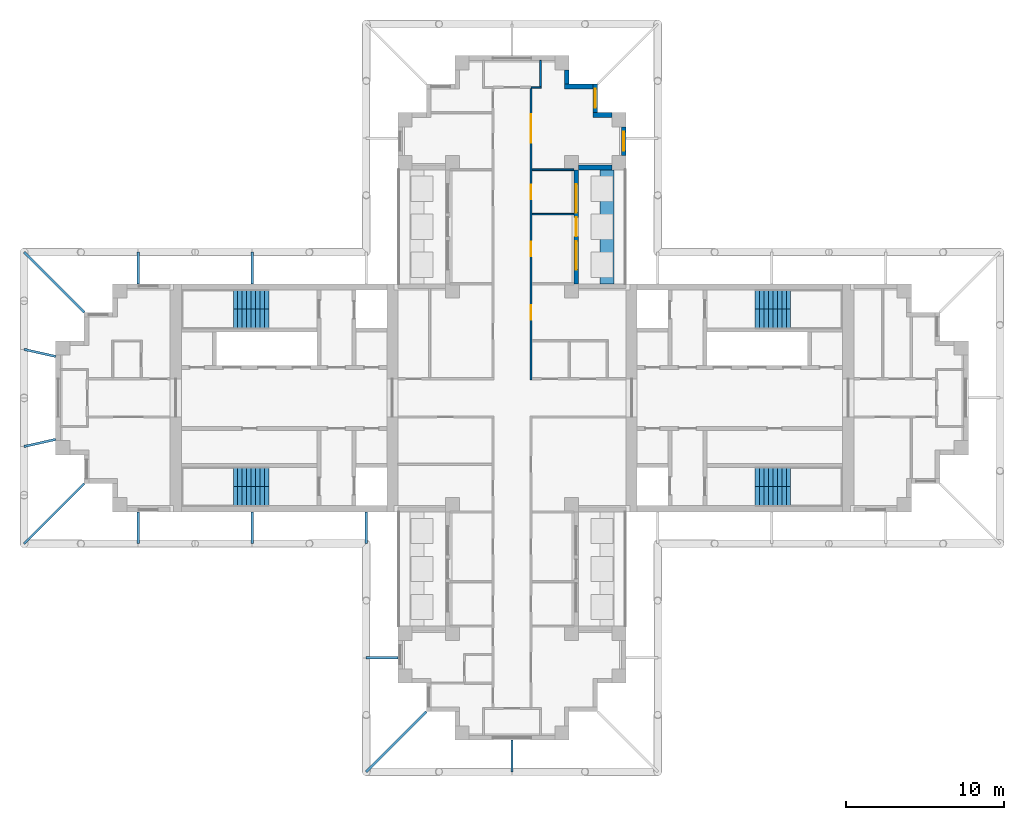
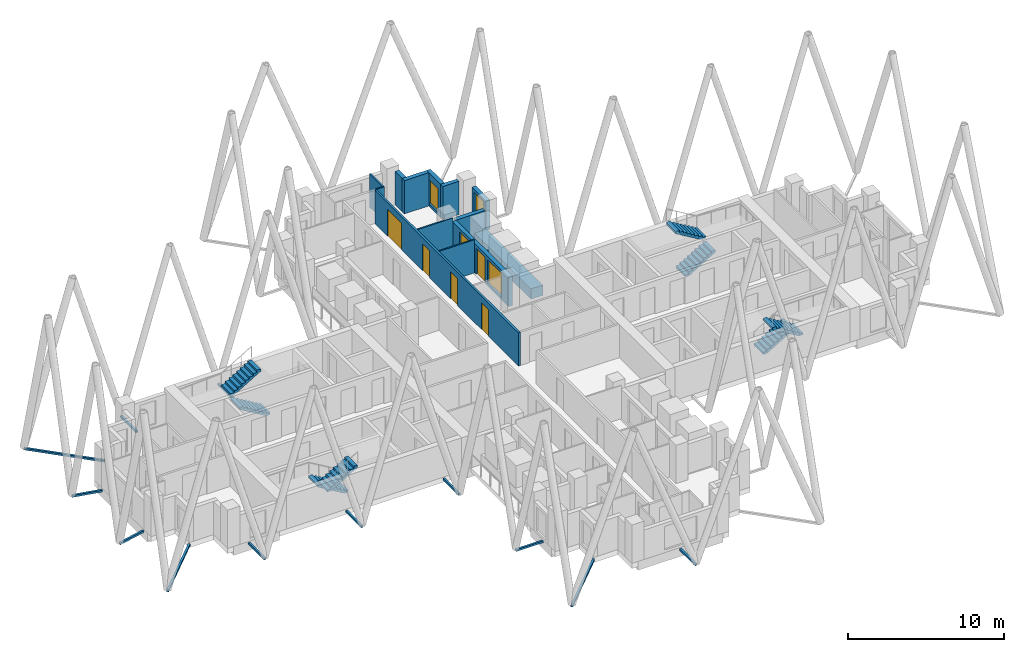
# One storey, part 8 of 11: 13 walls, 12 discrete accessories, 8 stair flights, 5 doors, 4 windows, 9 openings, 4 elements without a shape of their own.
"""IFC4 building model written with IfcOpenShell, lengths in metres."""

from ifc_helpers import new_model, si_unit, direction, frame, frame_2d, origin, origin_2d, place, context, subcontext, project, spatial, polyline, rectangle, hollow_rectangle, outline, extrude, material, layer, layer_set, type_object, element, fill, aggregate, save


model = new_model("IFC4")

# Units and contexts
model_context = context("Model", 3, precision=1e-05, world=origin(), true_north=direction((0.0, 1.0)))
body_context = subcontext(model_context, "Body", "Model", "MODEL_VIEW")
ifc_project = project(units=[si_unit("LENGTHUNIT", "METRE"), si_unit("AREAUNIT", "SQUARE_METRE"), si_unit("VOLUMEUNIT", "CUBIC_METRE"), si_unit("PLANEANGLEUNIT", "RADIAN"), si_unit("MASSUNIT", "GRAM", prefix="KILO")], contexts=[model_context])

# Site, building, storey
site_placement = place(None, origin())
site = spatial("IfcSite", under=ifc_project, at=site_placement, CompositionType="ELEMENT")
building_placement = place(site_placement, origin())
building = spatial("IfcBuilding", under=site, at=building_placement, Name="Fustian Cross Tower", CompositionType="ELEMENT")
storey_placement = place(building_placement, frame((0.0, 0.0, 222.89990234375)))
storey = spatial("IfcBuildingStorey", under=building, at=storey_placement, Name="L70", CompositionType="ELEMENT", Elevation=222.89990234375)

# Wall, openings, doors
ifc_material_1 = material(Name="Plasterboard on steel stud", Category="steel")
ifc_layer_1 = layer(ifc_material_1, 0.14990234375)
ifc_layer_set_1 = layer_set([ifc_layer_1], Name="Plasterboard on steel stud")
wall_type_1 = type_object("IfcWallType", Name="COMPARTMENT WALL 150 EI 60", PredefinedType="PARTITIONING", material=ifc_layer_set_1)
wall_1_placement = place(storey_placement, frame((1.199951171875, 1.125, 0.0), z_axis=(0.0, 0.0, 1.0), x_axis=(0.0, 1.0, 0.0)))
wall_1 = element("IfcWall", 1, at=wall_1_placement, inside=storey, type_object=wall_type_1, Name="Partition 39", PredefinedType="PARTITIONING", context=body_context, shape_type="SweptSolid", body=[
    extrude(rectangle(XDim=18.39990234375, YDim=0.14990234375, at=frame_2d((9.199951171875, 0.0))), origin(), (0.0, 0.0, 1.0), 2.60009765625),
])
opening_1_placement = place(wall_1_placement, frame((3.824951171875, 0.0, 0.0)))
opening_1 = element("IfcOpeningElement", 2, at=opening_1_placement, cuts=wall_1, Name="Opening D31003", PredefinedType="OPENING", context=body_context, shape_type="SweptSolid", body=[
    extrude(rectangle(XDim=0.89990234375, YDim=2.10009765625, at=frame_2d((0.449951171875, 1.050048828125))), frame((0.0, 0.0849609375, 0.0), z_axis=(0.0, -1.0, 0.0), x_axis=(1.0, 0.0, 0.0)), (0.0, 0.0, 1.0), 0.169921875),
])
opening_2_placement = place(wall_1_placement, frame((11.425048828125, 0.0, 0.0)))
opening_2 = element("IfcOpeningElement", 3, at=opening_2_placement, cuts=wall_1, Name="Opening D31019", PredefinedType="OPENING", context=body_context, shape_type="SweptSolid", body=[
    extrude(rectangle(XDim=0.89990234375, YDim=2.10009765625, at=frame_2d((0.449951171875, 1.050048828125))), frame((0.0, 0.0849609375, 0.0), z_axis=(0.0, -1.0, 0.0), x_axis=(1.0, 0.0, 0.0)), (0.0, 0.0, 1.0), 0.169921875),
])
opening_3_placement = place(wall_1_placement, frame((7.824951171875, 0.0, 0.0)))
opening_3 = element("IfcOpeningElement", 4, at=opening_3_placement, cuts=wall_1, Name="Opening D31020", PredefinedType="OPENING", context=body_context, shape_type="SweptSolid", body=[
    extrude(rectangle(XDim=0.89990234375, YDim=2.10009765625, at=frame_2d((0.449951171875, 1.050048828125))), frame((0.0, 0.0849609375, 0.0), z_axis=(0.0, -1.0, 0.0), x_axis=(1.0, 0.0, 0.0)), (0.0, 0.0, 1.0), 0.169921875),
])
opening_4_placement = place(wall_1_placement, frame((14.97509765625, 0.0, 0.0)))
opening_4 = element("IfcOpeningElement", 5, at=opening_4_placement, cuts=wall_1, Name="Opening D31021", PredefinedType="OPENING", context=body_context, shape_type="SweptSolid", body=[
    extrude(rectangle(XDim=1.800048828125, YDim=2.10009765625, at=frame_2d((0.89990234375, 1.050048828125))), frame((0.0, 0.0849609375, 0.0), z_axis=(0.0, -1.0, 0.0), x_axis=(1.0, 0.0, 0.0)), (0.0, 0.0, 1.0), 0.169921875),
])
ifc_material_2 = material(Name="Timber fire door set", Category="wood")
door_type_1 = type_object("IfcDoorType", Name="FIRE DOUBLE DOOR 1800 FD30S", OperationType="DOUBLE_DOOR_DOUBLE_SWING", PredefinedType="DOOR", material=ifc_material_2)
door_1_placement = place(opening_4_placement, origin())
door_1 = element("IfcDoor", 6, at=door_1_placement, inside=storey, type_object=door_type_1, Name="Door D31021", OperationType="DOUBLE_DOOR_DOUBLE_SWING", OverallHeight=2.10009765625, OverallWidth=1.800048828125, PredefinedType="DOOR", context=body_context, shape_type="SweptSolid", body=[
    extrude(rectangle(XDim=1.800048828125, YDim=2.10009765625, at=frame_2d((0.89990234375, 1.050048828125))), frame((0.0, 0.02490234375, 0.0), z_axis=(0.0, -1.0, 0.0), x_axis=(1.0, 0.0, 0.0)), (0.0, 0.0, 1.0), 0.050048828125),
])
fill(opening_4, door_1)
ifc_material_3 = material(Name="Timber fire door set", Category="wood")
door_type_2 = type_object("IfcDoorType", Name="FIRE SWING DOOR 900 FD30S", OperationType="SINGLE_SWING_LEFT", PredefinedType="DOOR", material=ifc_material_3)
door_2_placement = place(opening_1_placement, frame((0.89990234375, 0.0, 0.0), z_axis=(0.0, 0.0, 1.0), x_axis=(-1.0, 0.0, 0.0)))
door_2 = element("IfcDoor", 7, at=door_2_placement, inside=storey, type_object=door_type_2, Name="Door D31003", OperationType="SINGLE_SWING_RIGHT", OverallHeight=2.10009765625, OverallWidth=0.89990234375, PredefinedType="DOOR", context=body_context, shape_type="SweptSolid", body=[
    extrude(rectangle(XDim=0.89990234375, YDim=2.10009765625, at=frame_2d((0.449951171875, 1.050048828125))), frame((0.0, 0.02490234375, 0.0), z_axis=(0.0, -1.0, 0.0), x_axis=(1.0, 0.0, 0.0)), (0.0, 0.0, 1.0), 0.050048828125),
])
fill(opening_1, door_2)
door_3_placement = place(opening_2_placement, frame((0.89990234375, 0.0, 0.0), z_axis=(0.0, 0.0, 1.0), x_axis=(-1.0, 0.0, 0.0)))
door_3 = element("IfcDoor", 8, at=door_3_placement, inside=storey, type_object=door_type_2, Name="Door D31019", OperationType="SINGLE_SWING_RIGHT", OverallHeight=2.10009765625, OverallWidth=0.89990234375, PredefinedType="DOOR", context=body_context, shape_type="SweptSolid", body=[
    extrude(rectangle(XDim=0.89990234375, YDim=2.10009765625, at=frame_2d((0.449951171875, 1.050048828125))), frame((0.0, 0.02490234375, 0.0), z_axis=(0.0, -1.0, 0.0), x_axis=(1.0, 0.0, 0.0)), (0.0, 0.0, 1.0), 0.050048828125),
])
fill(opening_2, door_3)
door_4_placement = place(opening_3_placement, frame((0.89990234375, 0.0, 0.0), z_axis=(0.0, 0.0, 1.0), x_axis=(-1.0, 0.0, 0.0)))
door_4 = element("IfcDoor", 9, at=door_4_placement, inside=storey, type_object=door_type_2, Name="Door D31020", OperationType="SINGLE_SWING_RIGHT", OverallHeight=2.10009765625, OverallWidth=0.89990234375, PredefinedType="DOOR", context=body_context, shape_type="SweptSolid", body=[
    extrude(rectangle(XDim=0.89990234375, YDim=2.10009765625, at=frame_2d((0.449951171875, 1.050048828125))), frame((0.0, 0.02490234375, 0.0), z_axis=(0.0, -1.0, 0.0), x_axis=(1.0, 0.0, 0.0)), (0.0, 0.0, 1.0), 0.050048828125),
])
fill(opening_3, door_4)

# Walls
ifc_material_4 = material(Name="Plasterboard on steel stud", Category="steel")
ifc_layer_2 = layer(ifc_material_4, 0.10009765625)
ifc_layer_set_2 = layer_set([ifc_layer_2], Name="Plasterboard on steel stud")
wall_type_2 = type_object("IfcWallType", Name="PARTITION 100 STUD", PredefinedType="PARTITIONING", material=ifc_layer_set_2)
for number, where, z_axis, x_axis, name in (
    (10, (1.27490234375, 11.60009765625, 0.0), (0.0, 0.0, 1.0), (1.0, 0.0, 0.0), "Partition 43"),
    (11, (1.27490234375, 14.39990234375, 0.0), (0.0, 0.0, 1.0), (1.0, 0.0, 0.0), "Partition 44"),
):
    element("IfcWall", number, at=place(storey_placement, frame(where, z_axis=z_axis, x_axis=x_axis)), inside=storey, type_object=wall_type_2, Name=name, PredefinedType="PARTITIONING", context=body_context, shape_type="SweptSolid", body=[
        extrude(rectangle(XDim=2.625, YDim=0.10009765625, at=frame_2d((1.3125, 0.0))), origin(), (0.0, 0.0, 1.0), 2.60009765625),
    ])
wall_2_placement = place(storey_placement, frame((1.199951171875, 19.60009765625, 0.0), z_axis=(0.0, 0.0, 1.0), x_axis=(1.0, 0.0, 0.0)))
element("IfcWall", 12, at=wall_2_placement, inside=storey, type_object=wall_type_2, Name="Partition 45", PredefinedType="PARTITIONING", context=body_context, shape_type="SweptSolid", body=[
    extrude(rectangle(XDim=0.650146484375, YDim=0.10009765625, at=frame_2d((0.3251953125, 0.0))), origin(), (0.0, 0.0, 1.0), 2.60009765625),
])
wall_3_placement = place(storey_placement, frame((1.800048828125, 19.64990234375, 0.0), z_axis=(0.0, 0.0, 1.0), x_axis=(0.0, 1.0, 0.0)))
element("IfcWall", 13, at=wall_3_placement, inside=storey, type_object=wall_type_2, Name="Partition 47", PredefinedType="PARTITIONING", context=body_context, shape_type="SweptSolid", body=[
    extrude(rectangle(XDim=1.650146484375, YDim=0.10009765625, at=frame_2d((0.8251953125, 0.0))), origin(), (0.0, 0.0, 1.0), 2.60009765625),
])
ifc_material_5 = material(Name="Concrete C40/50", Category="concrete")
ifc_layer_3 = layer(ifc_material_5, 0.89990234375)
ifc_layer_set_3 = layer_set([ifc_layer_3], Name="Concrete C40/50")
wall_type_3 = type_object("IfcWallType", Name="PK1 PLANTER 900", PredefinedType="PARAPET", material=ifc_layer_set_3)
wall_4_placement = place(storey_placement, frame((6.0, 7.199951171875, 0.0), z_axis=(0.0, 0.0, 1.0), x_axis=(0.0, 1.0, 0.0)))
element("IfcWall", 14, at=wall_4_placement, inside=storey, type_object=wall_type_3, Name="PLANTER", PredefinedType="PARAPET", context=body_context, shape_type="SweptSolid", body=[
    extrude(rectangle(XDim=7.199951171875, YDim=0.89990234375, at=frame_2d((3.60009765625, 0.0))), origin(), (0.0, 0.0, 1.0), 0.800048828125),
])

# Wall, openings, door, windows
ifc_material_6 = material(Name="Dark aluminium cladding on insulated backing wall", Category="aluminium")
ifc_layer_4 = layer(ifc_material_6, 0.300048828125)
ifc_layer_set_4 = layer_set([ifc_layer_4], Name="Dark aluminium cladding on insulated backing wall")
wall_type_4 = type_object("IfcWallType", Name="XW1 EXTERNAL WALL 300", PredefinedType="SOLIDWALL", material=ifc_layer_set_4)
wall_5_placement = place(storey_placement, frame((4.050048828125, 7.199951171875, 0.0), z_axis=(0.0, 0.0, 1.0), x_axis=(0.0, 1.0, 0.0)))
wall_5 = element("IfcWall", 15, at=wall_5_placement, inside=storey, type_object=wall_type_4, Name="External wall", PredefinedType="SOLIDWALL", context=body_context, shape_type="SweptSolid", body=[
    extrude(rectangle(XDim=7.199951171875, YDim=0.300048828125, at=frame_2d((3.60009765625, 0.0))), origin(), (0.0, 0.0, 1.0), 2.300048828125),
])
opening_5_placement = place(wall_5_placement, frame((3.0, 0.0, 0.0)))
opening_5 = element("IfcOpeningElement", 16, at=opening_5_placement, cuts=wall_5, Name="Opening XD1", PredefinedType="OPENING", context=body_context, shape_type="SweptSolid", body=[
    extrude(rectangle(XDim=1.199951171875, YDim=2.050048828125, at=frame_2d((0.60009765625, 1.02490234375))), frame((0.0, 0.159912109375, 0.0), z_axis=(0.0, -1.0, 0.0), x_axis=(1.0, 0.0, 0.0)), (0.0, 0.0, 1.0), 0.320068359375),
])
opening_6_placement = place(wall_5_placement, frame((0.89990234375, 0.0, 0.199951171875)))
opening_6 = element("IfcOpeningElement", 17, at=opening_6_placement, cuts=wall_5, Name="Opening WN2", PredefinedType="OPENING", context=body_context, shape_type="SweptSolid", body=[
    extrude(rectangle(XDim=1.800048828125, YDim=1.85009765625, at=frame_2d((0.89990234375, 0.925048828125))), frame((0.0, 0.159912109375, 0.0), z_axis=(0.0, -1.0, 0.0), x_axis=(1.0, 0.0, 0.0)), (0.0, 0.0, 1.0), 0.320068359375),
])
opening_7_placement = place(wall_5_placement, frame((4.5, 0.0, 0.199951171875)))
opening_7 = element("IfcOpeningElement", 18, at=opening_7_placement, cuts=wall_5, Name="Opening WN2", PredefinedType="OPENING", context=body_context, shape_type="SweptSolid", body=[
    extrude(rectangle(XDim=1.800048828125, YDim=1.85009765625, at=frame_2d((0.89990234375, 0.925048828125))), frame((0.0, 0.159912109375, 0.0), z_axis=(0.0, -1.0, 0.0), x_axis=(1.0, 0.0, 0.0)), (0.0, 0.0, 1.0), 0.320068359375),
])
ifc_material_7 = material(Name="Dark anodised aluminium and double glazing", Category="aluminium")
door_type_3 = type_object("IfcDoorType", Name="ED1 BALCONY DOOR 1200X2050", OperationType="SINGLE_SWING_LEFT", PredefinedType="DOOR", material=ifc_material_7)
door_5_placement = place(opening_5_placement, origin())
door_5 = element("IfcDoor", 19, at=door_5_placement, inside=storey, type_object=door_type_3, Name="Balcony door", OperationType="SINGLE_SWING_LEFT", OverallHeight=2.050048828125, OverallWidth=1.199951171875, PredefinedType="DOOR", context=body_context, shape_type="SweptSolid", body=[
    extrude(rectangle(XDim=1.199951171875, YDim=2.050048828125, at=frame_2d((0.60009765625, 1.02490234375))), frame((0.0, 0.02490234375, 0.0), z_axis=(0.0, -1.0, 0.0), x_axis=(1.0, 0.0, 0.0)), (0.0, 0.0, 1.0), 0.050048828125),
])
fill(opening_5, door_5)
ifc_material_8 = material(Name="Dark anodised aluminium and double glazing", Category="aluminium")
window_type_1 = type_object("IfcWindowType", Name="WN2 WINDOW 1800X1850", PartitioningType="SINGLE_PANEL", PredefinedType="WINDOW", material=ifc_material_8)
window_1_placement = place(opening_6_placement, origin())
window_1 = element("IfcWindow", 20, at=window_1_placement, inside=storey, type_object=window_type_1, Name="Window", OverallHeight=1.85009765625, OverallWidth=1.800048828125, PartitioningType="SINGLE_PANEL", PredefinedType="WINDOW", context=body_context, shape_type="SweptSolid", body=[
    extrude(rectangle(XDim=1.800048828125, YDim=1.85009765625, at=frame_2d((0.89990234375, 0.925048828125))), frame((0.0, 0.030029296875, 0.0), z_axis=(0.0, -1.0, 0.0), x_axis=(1.0, 0.0, 0.0)), (0.0, 0.0, 1.0), 0.06005859375),
])
fill(opening_6, window_1)
window_2_placement = place(opening_7_placement, origin())
window_2 = element("IfcWindow", 21, at=window_2_placement, inside=storey, type_object=window_type_1, Name="Window", OverallHeight=1.85009765625, OverallWidth=1.800048828125, PartitioningType="SINGLE_PANEL", PredefinedType="WINDOW", context=body_context, shape_type="SweptSolid", body=[
    extrude(rectangle(XDim=1.800048828125, YDim=1.85009765625, at=frame_2d((0.89990234375, 0.925048828125))), frame((0.0, 0.030029296875, 0.0), z_axis=(0.0, -1.0, 0.0), x_axis=(1.0, 0.0, 0.0)), (0.0, 0.0, 1.0), 0.06005859375),
])
fill(opening_7, window_2)

# Wall
wall_6_placement = place(storey_placement, frame((4.199951171875, 14.550048828125, 0.0), z_axis=(0.0, 0.0, 1.0), x_axis=(1.0, 0.0, 0.0)))
element("IfcWall", 22, at=wall_6_placement, inside=storey, type_object=wall_type_4, Name="External wall", PredefinedType="SOLIDWALL", context=body_context, shape_type="SweptSolid", body=[
    extrude(rectangle(XDim=2.10009765625, YDim=0.300048828125, at=frame_2d((1.050048828125, 0.0))), origin(), (0.0, 0.0, 1.0), 2.300048828125),
])

# Wall, opening, window
wall_7_placement = place(storey_placement, frame((7.050048828125, 15.300048828125, 0.0), z_axis=(0.0, 0.0, 1.0), x_axis=(0.0, 1.0, 0.0)))
wall_7 = element("IfcWall", 23, at=wall_7_placement, inside=storey, type_object=wall_type_4, Name="External wall", PredefinedType="SOLIDWALL", context=body_context, shape_type="SweptSolid", body=[
    extrude(rectangle(XDim=1.800048828125, YDim=0.300048828125, at=frame_2d((0.89990234375, 0.0))), origin(), (0.0, 0.0, 1.0), 2.300048828125),
])
opening_8_placement = place(wall_7_placement, frame((0.300048828125, 0.0, 0.199951171875)))
opening_8 = element("IfcOpeningElement", 24, at=opening_8_placement, cuts=wall_7, Name="Opening WN3", PredefinedType="OPENING", context=body_context, shape_type="SweptSolid", body=[
    extrude(rectangle(XDim=1.199951171875, YDim=1.85009765625, at=frame_2d((0.60009765625, 0.925048828125))), frame((0.0, 0.159912109375, 0.0), z_axis=(0.0, -1.0, 0.0), x_axis=(1.0, 0.0, 0.0)), (0.0, 0.0, 1.0), 0.320068359375),
])
ifc_material_9 = material(Name="Dark anodised aluminium and double glazing", Category="aluminium")
window_type_2 = type_object("IfcWindowType", Name="WN3 WINDOW 1200X1850", PartitioningType="SINGLE_PANEL", PredefinedType="WINDOW", material=ifc_material_9)
window_3_placement = place(opening_8_placement, origin())
window_3 = element("IfcWindow", 25, at=window_3_placement, inside=storey, type_object=window_type_2, Name="Window", OverallHeight=1.85009765625, OverallWidth=1.199951171875, PartitioningType="SINGLE_PANEL", PredefinedType="WINDOW", context=body_context, shape_type="SweptSolid", body=[
    extrude(rectangle(XDim=1.199951171875, YDim=1.85009765625, at=frame_2d((0.60009765625, 0.925048828125))), frame((0.0, 0.030029296875, 0.0), z_axis=(0.0, -1.0, 0.0), x_axis=(1.0, 0.0, 0.0)), (0.0, 0.0, 1.0), 0.06005859375),
])
fill(opening_8, window_3)

# Wall
wall_8_placement = place(storey_placement, frame((6.300048828125, 17.85009765625, 0.0), z_axis=(0.0, 0.0, 1.0), x_axis=(-1.0, 0.0, 0.0)))
element("IfcWall", 26, at=wall_8_placement, inside=storey, type_object=wall_type_4, Name="External wall", PredefinedType="SOLIDWALL", context=body_context, shape_type="SweptSolid", body=[
    extrude(rectangle(XDim=1.199951171875, YDim=0.300048828125, at=frame_2d((0.60009765625, 0.0))), origin(), (0.0, 0.0, 1.0), 2.60009765625),
])

# Wall, opening, window
wall_9_placement = place(storey_placement, frame((5.25, 18.0, 0.0), z_axis=(0.0, 0.0, 1.0), x_axis=(0.0, 1.0, 0.0)))
wall_9 = element("IfcWall", 27, at=wall_9_placement, inside=storey, type_object=wall_type_4, Name="External wall", PredefinedType="SOLIDWALL", context=body_context, shape_type="SweptSolid", body=[
    extrude(rectangle(XDim=1.800048828125, YDim=0.300048828125, at=frame_2d((0.89990234375, 0.0))), origin(), (0.0, 0.0, 1.0), 2.60009765625),
])
opening_9_placement = place(wall_9_placement, frame((0.300048828125, 0.0, 0.199951171875)))
opening_9 = element("IfcOpeningElement", 28, at=opening_9_placement, cuts=wall_9, Name="Opening WN3", PredefinedType="OPENING", context=body_context, shape_type="SweptSolid", body=[
    extrude(rectangle(XDim=1.199951171875, YDim=1.85009765625, at=frame_2d((0.60009765625, 0.925048828125))), frame((0.0, 0.159912109375, 0.0), z_axis=(0.0, -1.0, 0.0), x_axis=(1.0, 0.0, 0.0)), (0.0, 0.0, 1.0), 0.320068359375),
])
window_4_placement = place(opening_9_placement, origin())
window_4 = element("IfcWindow", 29, at=window_4_placement, inside=storey, type_object=window_type_2, Name="Window", OverallHeight=1.85009765625, OverallWidth=1.199951171875, PartitioningType="SINGLE_PANEL", PredefinedType="WINDOW", context=body_context, shape_type="SweptSolid", body=[
    extrude(rectangle(XDim=1.199951171875, YDim=1.85009765625, at=frame_2d((0.60009765625, 0.925048828125))), frame((0.0, 0.030029296875, 0.0), z_axis=(0.0, -1.0, 0.0), x_axis=(1.0, 0.0, 0.0)), (0.0, 0.0, 1.0), 0.06005859375),
])
fill(opening_9, window_4)

# Walls
wall_10_placement = place(storey_placement, frame((5.10009765625, 19.64990234375, 0.0), z_axis=(0.0, 0.0, 1.0), x_axis=(-1.0, 0.0, 0.0)))
element("IfcWall", 30, at=wall_10_placement, inside=storey, type_object=wall_type_4, Name="External wall", PredefinedType="SOLIDWALL", context=body_context, shape_type="SweptSolid", body=[
    extrude(rectangle(XDim=1.800048828125, YDim=0.300048828125, at=frame_2d((0.89990234375, 0.0))), origin(), (0.0, 0.0, 1.0), 2.60009765625),
])
wall_11_placement = place(storey_placement, frame((3.449951171875, 19.800048828125, 0.0), z_axis=(0.0, 0.0, 1.0), x_axis=(0.0, 1.0, 0.0)))
element("IfcWall", 31, at=wall_11_placement, inside=storey, type_object=wall_type_4, Name="External wall", PredefinedType="SOLIDWALL", context=body_context, shape_type="SweptSolid", body=[
    extrude(rectangle(XDim=0.89990234375, YDim=0.300048828125, at=frame_2d((0.449951171875, 0.0))), origin(), (0.0, 0.0, 1.0), 2.60009765625),
])

# Stair, stair flights
ifc_material_10 = material(Name="Concrete C50/60", Category="concrete")
stair_type = type_object("IfcStairType", Name="STAIR 1200 HALF TURN", PredefinedType="HALF_TURN_STAIR", material=ifc_material_10)
stair_1_placement = place(storey_placement, origin())
stair_1 = element("IfcStair", 32, at=stair_1_placement, inside=storey, type_object=stair_type, Name="Stair ST1", PredefinedType="HALF_TURN_STAIR")
ifc_material_11 = material(Name="Concrete C50/60", Category="concrete")
stair_flight_type = type_object("IfcStairFlightType", Name="STAIR FLIGHT 1200", PredefinedType="STRAIGHT", material=ifc_material_11)
stair_flight_1_placement = place(storey_placement, frame((15.35009765625, 5.0, 0.0), z_axis=(0.0, 0.0, 1.0), x_axis=(1.0, 0.0, 0.0)))
stair_flight_1 = element("IfcStairFlight", 33, at=stair_flight_1_placement, type_object=stair_flight_type, Name="ST1 flight 1", NumberOfRisers=9, NumberOfTreads=8, PredefinedType="STRAIGHT", RiserHeight=0.166666667, TreadLength=0.28, context=body_context, shape_type="SweptSolid", body=[
    extrude(outline(polyline([(0.0, 0.0), (0.0, 0.166748046875), (0.280029296875, 0.166748046875), (0.280029296875, 0.333251953125), (0.56005859375, 0.333251953125), (0.56005859375, 0.5), (0.840087890625, 0.5), (0.840087890625, 0.666748046875), (1.1201171875, 0.666748046875), (1.1201171875, 0.833251953125), (1.39990234375, 0.833251953125), (1.39990234375, 1.0), (1.679931640625, 1.0), (1.679931640625, 1.166748046875), (1.9599609375, 1.166748046875), (1.9599609375, 1.333251953125), (2.239990234375, 1.333251953125), (2.239990234375, 1.5), (2.239990234375, 1.158935546875), (0.29296875, 0.0), (0.0, 0.0)])), frame((0.0, 0.60009765625, 0.0), z_axis=(0.0, -1.0, 0.0), x_axis=(1.0, 0.0, 0.0)), (0.0, 0.0, 1.0), 1.199951171875),
])
stair_flight_2_placement = place(storey_placement, frame((17.590087890625, 6.199951171875, 1.5), z_axis=(0.0, 0.0, 1.0), x_axis=(-1.0, 0.0, 0.0)))
stair_flight_2 = element("IfcStairFlight", 34, at=stair_flight_2_placement, type_object=stair_flight_type, Name="ST1 flight 2", NumberOfRisers=9, NumberOfTreads=8, PredefinedType="STRAIGHT", RiserHeight=0.166666667, TreadLength=0.28, context=body_context, shape_type="SweptSolid", body=[
    extrude(outline(polyline([(0.0, 0.0), (0.0, 0.166748046875), (0.280029296875, 0.166748046875), (0.280029296875, 0.333251953125), (0.56005859375, 0.333251953125), (0.56005859375, 0.5), (0.840087890625, 0.5), (0.840087890625, 0.666748046875), (1.1201171875, 0.666748046875), (1.1201171875, 0.833251953125), (1.39990234375, 0.833251953125), (1.39990234375, 1.0), (1.679931640625, 1.0), (1.679931640625, 1.166748046875), (1.9599609375, 1.166748046875), (1.9599609375, 1.333251953125), (2.239990234375, 1.333251953125), (2.239990234375, 1.5), (2.239990234375, 1.158935546875), (0.29296875, 0.0), (0.0, 0.0)])), frame((0.0, 0.60009765625, 0.0), z_axis=(0.0, -1.0, 0.0), x_axis=(1.0, 0.0, 0.0)), (0.0, 0.0, 1.0), 1.199951171875),
])
aggregate(stair_1, [stair_flight_1, stair_flight_2])

stair_2_placement = place(storey_placement, origin())
stair_2 = element("IfcStair", 35, at=stair_2_placement, inside=storey, type_object=stair_type, Name="Stair ST2", PredefinedType="HALF_TURN_STAIR")
stair_flight_3_placement = place(storey_placement, frame((15.35009765625, -5.0, 0.0), z_axis=(0.0, 0.0, 1.0), x_axis=(1.0, 0.0, 0.0)))
stair_flight_3 = element("IfcStairFlight", 36, at=stair_flight_3_placement, type_object=stair_flight_type, Name="ST2 flight 1", NumberOfRisers=9, NumberOfTreads=8, PredefinedType="STRAIGHT", RiserHeight=0.166666667, TreadLength=0.28, context=body_context, shape_type="SweptSolid", body=[
    extrude(outline(polyline([(0.0, 0.0), (0.0, 0.166748046875), (0.280029296875, 0.166748046875), (0.280029296875, 0.333251953125), (0.56005859375, 0.333251953125), (0.56005859375, 0.5), (0.840087890625, 0.5), (0.840087890625, 0.666748046875), (1.1201171875, 0.666748046875), (1.1201171875, 0.833251953125), (1.39990234375, 0.833251953125), (1.39990234375, 1.0), (1.679931640625, 1.0), (1.679931640625, 1.166748046875), (1.9599609375, 1.166748046875), (1.9599609375, 1.333251953125), (2.239990234375, 1.333251953125), (2.239990234375, 1.5), (2.239990234375, 1.158935546875), (0.29296875, 0.0), (0.0, 0.0)])), frame((0.0, 0.60009765625, 0.0), z_axis=(0.0, -1.0, 0.0), x_axis=(1.0, 0.0, 0.0)), (0.0, 0.0, 1.0), 1.199951171875),
])
stair_flight_4_placement = place(storey_placement, frame((17.590087890625, -6.199951171875, 1.5), z_axis=(0.0, 0.0, 1.0), x_axis=(-1.0, 0.0, 0.0)))
stair_flight_4 = element("IfcStairFlight", 37, at=stair_flight_4_placement, type_object=stair_flight_type, Name="ST2 flight 2", NumberOfRisers=9, NumberOfTreads=8, PredefinedType="STRAIGHT", RiserHeight=0.166666667, TreadLength=0.28, context=body_context, shape_type="SweptSolid", body=[
    extrude(outline(polyline([(0.0, 0.0), (0.0, 0.166748046875), (0.280029296875, 0.166748046875), (0.280029296875, 0.333251953125), (0.56005859375, 0.333251953125), (0.56005859375, 0.5), (0.840087890625, 0.5), (0.840087890625, 0.666748046875), (1.1201171875, 0.666748046875), (1.1201171875, 0.833251953125), (1.39990234375, 0.833251953125), (1.39990234375, 1.0), (1.679931640625, 1.0), (1.679931640625, 1.166748046875), (1.9599609375, 1.166748046875), (1.9599609375, 1.333251953125), (2.239990234375, 1.333251953125), (2.239990234375, 1.5), (2.239990234375, 1.158935546875), (0.29296875, 0.0), (0.0, 0.0)])), frame((0.0, 0.60009765625, 0.0), z_axis=(0.0, -1.0, 0.0), x_axis=(1.0, 0.0, 0.0)), (0.0, 0.0, 1.0), 1.199951171875),
])
aggregate(stair_2, [stair_flight_3, stair_flight_4])

stair_3_placement = place(storey_placement, origin())
stair_3 = element("IfcStair", 38, at=stair_3_placement, inside=storey, type_object=stair_type, Name="Stair ST3", PredefinedType="HALF_TURN_STAIR")
stair_flight_5_placement = place(storey_placement, frame((-15.35009765625, 5.0, 0.0), z_axis=(0.0, 0.0, 1.0), x_axis=(-1.0, 0.0, 0.0)))
stair_flight_5 = element("IfcStairFlight", 39, at=stair_flight_5_placement, type_object=stair_flight_type, Name="ST3 flight 1", NumberOfRisers=9, NumberOfTreads=8, PredefinedType="STRAIGHT", RiserHeight=0.166666667, TreadLength=0.28, context=body_context, shape_type="SweptSolid", body=[
    extrude(outline(polyline([(0.0, 0.0), (0.0, 0.166748046875), (0.280029296875, 0.166748046875), (0.280029296875, 0.333251953125), (0.56005859375, 0.333251953125), (0.56005859375, 0.5), (0.840087890625, 0.5), (0.840087890625, 0.666748046875), (1.1201171875, 0.666748046875), (1.1201171875, 0.833251953125), (1.39990234375, 0.833251953125), (1.39990234375, 1.0), (1.679931640625, 1.0), (1.679931640625, 1.166748046875), (1.9599609375, 1.166748046875), (1.9599609375, 1.333251953125), (2.239990234375, 1.333251953125), (2.239990234375, 1.5), (2.239990234375, 1.158935546875), (0.29296875, 0.0), (0.0, 0.0)])), frame((0.0, 0.60009765625, 0.0), z_axis=(0.0, -1.0, 0.0), x_axis=(1.0, 0.0, 0.0)), (0.0, 0.0, 1.0), 1.199951171875),
])
stair_flight_6_placement = place(storey_placement, frame((-17.590087890625, 6.199951171875, 1.5), z_axis=(0.0, 0.0, 1.0), x_axis=(1.0, 0.0, 0.0)))
stair_flight_6 = element("IfcStairFlight", 40, at=stair_flight_6_placement, type_object=stair_flight_type, Name="ST3 flight 2", NumberOfRisers=9, NumberOfTreads=8, PredefinedType="STRAIGHT", RiserHeight=0.166666667, TreadLength=0.28, context=body_context, shape_type="SweptSolid", body=[
    extrude(outline(polyline([(0.0, 0.0), (0.0, 0.166748046875), (0.280029296875, 0.166748046875), (0.280029296875, 0.333251953125), (0.56005859375, 0.333251953125), (0.56005859375, 0.5), (0.840087890625, 0.5), (0.840087890625, 0.666748046875), (1.1201171875, 0.666748046875), (1.1201171875, 0.833251953125), (1.39990234375, 0.833251953125), (1.39990234375, 1.0), (1.679931640625, 1.0), (1.679931640625, 1.166748046875), (1.9599609375, 1.166748046875), (1.9599609375, 1.333251953125), (2.239990234375, 1.333251953125), (2.239990234375, 1.5), (2.239990234375, 1.158935546875), (0.29296875, 0.0), (0.0, 0.0)])), frame((0.0, 0.60009765625, 0.0), z_axis=(0.0, -1.0, 0.0), x_axis=(1.0, 0.0, 0.0)), (0.0, 0.0, 1.0), 1.199951171875),
])
aggregate(stair_3, [stair_flight_5, stair_flight_6])

stair_4_placement = place(storey_placement, origin())
stair_4 = element("IfcStair", 41, at=stair_4_placement, inside=storey, type_object=stair_type, Name="Stair ST4", PredefinedType="HALF_TURN_STAIR")
stair_flight_7_placement = place(storey_placement, frame((-15.35009765625, -5.0, 0.0), z_axis=(0.0, 0.0, 1.0), x_axis=(-1.0, 0.0, 0.0)))
stair_flight_7 = element("IfcStairFlight", 42, at=stair_flight_7_placement, type_object=stair_flight_type, Name="ST4 flight 1", NumberOfRisers=9, NumberOfTreads=8, PredefinedType="STRAIGHT", RiserHeight=0.166666667, TreadLength=0.28, context=body_context, shape_type="SweptSolid", body=[
    extrude(outline(polyline([(0.0, 0.0), (0.0, 0.166748046875), (0.280029296875, 0.166748046875), (0.280029296875, 0.333251953125), (0.56005859375, 0.333251953125), (0.56005859375, 0.5), (0.840087890625, 0.5), (0.840087890625, 0.666748046875), (1.1201171875, 0.666748046875), (1.1201171875, 0.833251953125), (1.39990234375, 0.833251953125), (1.39990234375, 1.0), (1.679931640625, 1.0), (1.679931640625, 1.166748046875), (1.9599609375, 1.166748046875), (1.9599609375, 1.333251953125), (2.239990234375, 1.333251953125), (2.239990234375, 1.5), (2.239990234375, 1.158935546875), (0.29296875, 0.0), (0.0, 0.0)])), frame((0.0, 0.60009765625, 0.0), z_axis=(0.0, -1.0, 0.0), x_axis=(1.0, 0.0, 0.0)), (0.0, 0.0, 1.0), 1.199951171875),
])
stair_flight_8_placement = place(storey_placement, frame((-17.590087890625, -6.199951171875, 1.5), z_axis=(0.0, 0.0, 1.0), x_axis=(1.0, 0.0, 0.0)))
stair_flight_8 = element("IfcStairFlight", 43, at=stair_flight_8_placement, type_object=stair_flight_type, Name="ST4 flight 2", NumberOfRisers=9, NumberOfTreads=8, PredefinedType="STRAIGHT", RiserHeight=0.166666667, TreadLength=0.28, context=body_context, shape_type="SweptSolid", body=[
    extrude(outline(polyline([(0.0, 0.0), (0.0, 0.166748046875), (0.280029296875, 0.166748046875), (0.280029296875, 0.333251953125), (0.56005859375, 0.333251953125), (0.56005859375, 0.5), (0.840087890625, 0.5), (0.840087890625, 0.666748046875), (1.1201171875, 0.666748046875), (1.1201171875, 0.833251953125), (1.39990234375, 0.833251953125), (1.39990234375, 1.0), (1.679931640625, 1.0), (1.679931640625, 1.166748046875), (1.9599609375, 1.166748046875), (1.9599609375, 1.333251953125), (2.239990234375, 1.333251953125), (2.239990234375, 1.5), (2.239990234375, 1.158935546875), (0.29296875, 0.0), (0.0, 0.0)])), frame((0.0, 0.60009765625, 0.0), z_axis=(0.0, -1.0, 0.0), x_axis=(1.0, 0.0, 0.0)), (0.0, 0.0, 1.0), 1.199951171875),
])
aggregate(stair_4, [stair_flight_7, stair_flight_8])

# Discrete accessories
ifc_material_12 = material(Name="Steel S355", Category="steel")
for number, where, z_axis, x_axis, name in (
    (44, (-16.39990234375, 9.199951171875, -0.14990234375), (0.0, -1.0, 0.0), (1.0, 0.0, 0.0), "Diagrid node bracket L70-12"),
    (45, (-23.60009765625, 9.199951171875, -0.14990234375), (0.0, -1.0, 0.0), (1.0, 0.0, 0.0), "Diagrid node bracket L70-13"),
):
    element("IfcDiscreteAccessory", number, at=place(storey_placement, frame(where, z_axis=z_axis, x_axis=x_axis)), inside=storey, material=ifc_material_12, Name=name, PredefinedType="BRACKET", context=body_context, shape_type="SweptSolid", body=[
        extrude(hollow_rectangle(XDim=0.14990234375, YDim=0.14990234375, WallThickness=0.010009765625, at=origin_2d()), origin(), (0.0, 0.0, 1.0), 2.0),
    ])
discrete_accessory_1_placement = place(storey_placement, frame((-30.800048828125, 9.199951171875, -0.14990234375), z_axis=(0.707106781187, -0.707106781187, 0.0), x_axis=(0.707106781187, 0.707106781187, 0.0)))
element("IfcDiscreteAccessory", 46, at=discrete_accessory_1_placement, inside=storey, material=ifc_material_12, Name="Diagrid node bracket L70-14", PredefinedType="BRACKET", context=body_context, shape_type="SweptSolid", body=[
    extrude(hollow_rectangle(XDim=0.14990234375, YDim=0.14990234375, WallThickness=0.010009765625, at=origin_2d()), origin(), (0.0, 0.0, 1.0), 5.3740234375),
])
for number, where, z_axis, x_axis, name in (
    (47, (-30.800048828125, 3.066650390625, -0.14990234375), (0.97561485681, -0.21948952406, 0.0), (0.21948952406, 0.97561485681, 0.0), "Diagrid node bracket L70-15"),
    (48, (-30.800048828125, -3.066650390625, -0.14990234375), (0.97561485681, 0.21948952406, 0.0), (-0.21948952406, 0.97561485681, 0.0), "Diagrid node bracket L70-16"),
):
    element("IfcDiscreteAccessory", number, at=place(storey_placement, frame(where, z_axis=z_axis, x_axis=x_axis)), inside=storey, material=ifc_material_12, Name=name, PredefinedType="BRACKET", context=body_context, shape_type="SweptSolid", body=[
        extrude(hollow_rectangle(XDim=0.14990234375, YDim=0.14990234375, WallThickness=0.010009765625, at=origin_2d()), origin(), (0.0, 0.0, 1.0), 2.050048828125),
    ])
discrete_accessory_2_placement = place(storey_placement, frame((-30.800048828125, -9.199951171875, -0.14990234375), z_axis=(0.707106781187, 0.707106781187, 0.0), x_axis=(-0.707106781187, 0.707106781187, 0.0)))
element("IfcDiscreteAccessory", 49, at=discrete_accessory_2_placement, inside=storey, material=ifc_material_12, Name="Diagrid node bracket L70-17", PredefinedType="BRACKET", context=body_context, shape_type="SweptSolid", body=[
    extrude(hollow_rectangle(XDim=0.14990234375, YDim=0.14990234375, WallThickness=0.010009765625, at=origin_2d()), origin(), (0.0, 0.0, 1.0), 5.3740234375),
])
for number, where, z_axis, x_axis, name in (
    (50, (-23.60009765625, -9.199951171875, -0.14990234375), (0.0, 1.0, 0.0), (-1.0, 0.0, 0.0), "Diagrid node bracket L70-18"),
    (51, (-16.39990234375, -9.199951171875, -0.14990234375), (0.0, 1.0, 0.0), (-1.0, 0.0, 0.0), "Diagrid node bracket L70-19"),
    (52, (-9.199951171875, -9.199951171875, -0.14990234375), (0.0, 1.0, 0.0), (-1.0, 0.0, 0.0), "Diagrid node bracket L70-20"),
    (53, (-9.199951171875, -16.39990234375, -0.14990234375), (1.0, 0.0, 0.0), (0.0, 1.0, 0.0), "Diagrid node bracket L70-21"),
):
    element("IfcDiscreteAccessory", number, at=place(storey_placement, frame(where, z_axis=z_axis, x_axis=x_axis)), inside=storey, material=ifc_material_12, Name=name, PredefinedType="BRACKET", context=body_context, shape_type="SweptSolid", body=[
        extrude(hollow_rectangle(XDim=0.14990234375, YDim=0.14990234375, WallThickness=0.010009765625, at=origin_2d()), origin(), (0.0, 0.0, 1.0), 2.0),
    ])
discrete_accessory_3_placement = place(storey_placement, frame((-9.199951171875, -23.60009765625, -0.14990234375), z_axis=(0.707106781187, 0.707106781187, 0.0), x_axis=(-0.707106781187, 0.707106781187, 0.0)))
element("IfcDiscreteAccessory", 54, at=discrete_accessory_3_placement, inside=storey, material=ifc_material_12, Name="Diagrid node bracket L70-22", PredefinedType="BRACKET", context=body_context, shape_type="SweptSolid", body=[
    extrude(hollow_rectangle(XDim=0.14990234375, YDim=0.14990234375, WallThickness=0.010009765625, at=origin_2d()), origin(), (0.0, 0.0, 1.0), 5.3740234375),
])
discrete_accessory_4_placement = place(storey_placement, frame((0.0, -23.60009765625, -0.14990234375), z_axis=(0.0, 1.0, 0.0), x_axis=(-1.0, 0.0, 0.0)))
element("IfcDiscreteAccessory", 55, at=discrete_accessory_4_placement, inside=storey, material=ifc_material_12, Name="Diagrid node bracket L70-23", PredefinedType="BRACKET", context=body_context, shape_type="SweptSolid", body=[
    extrude(hollow_rectangle(XDim=0.14990234375, YDim=0.14990234375, WallThickness=0.010009765625, at=origin_2d()), origin(), (0.0, 0.0, 1.0), 2.0),
])

save(model, "model.ifc")
